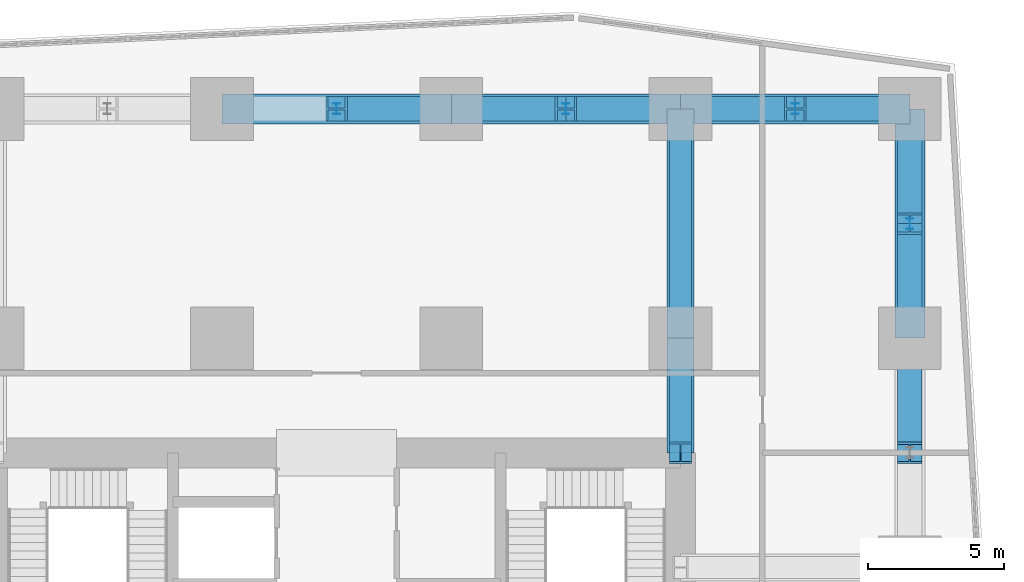
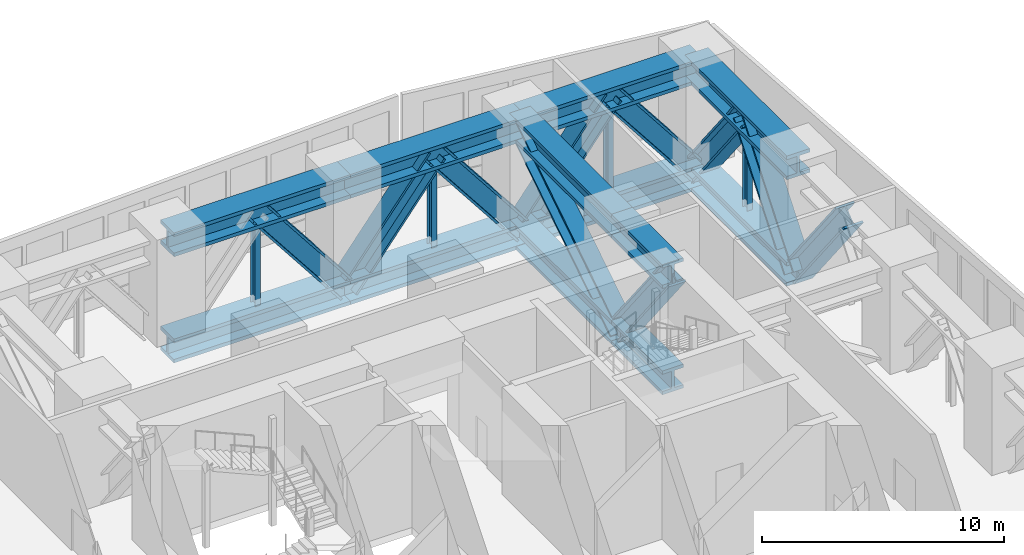
# One storey, part 7 of 16: 26 members.
"""IFC4 building model written with IfcOpenShell, lengths in metres."""

from ifc_helpers import new_model, si_unit, direction, frame, origin, origin_2d, place, context, subcontext, project, spatial, i_section, extrude, material, material_profile, profile_set, type_object, element, save


model = new_model("IFC4")

# Units and contexts
model_context = context("Model", 3, precision=1e-05, world=origin(), true_north=direction((0.0, 1.0)))
body_context = subcontext(model_context, "Body", "Model", "MODEL_VIEW")
ifc_project = project(units=[si_unit("LENGTHUNIT", "METRE"), si_unit("AREAUNIT", "SQUARE_METRE"), si_unit("VOLUMEUNIT", "CUBIC_METRE"), si_unit("PLANEANGLEUNIT", "RADIAN"), si_unit("MASSUNIT", "GRAM", prefix="KILO")], contexts=[model_context])

# Site, building, storey
site_placement = place(None, origin())
site = spatial("IfcSite", under=ifc_project, at=site_placement, CompositionType="ELEMENT")
building_placement = place(site_placement, origin())
building = spatial("IfcBuilding", under=site, at=building_placement, Name="Rekha Terrace Tower", CompositionType="ELEMENT")
storey_placement = place(building_placement, frame((0.0, 0.0, 240.199951171875)))
storey = spatial("IfcBuildingStorey", under=building, at=storey_placement, Name="L61", CompositionType="ELEMENT", Elevation=240.199951171875)

# Members
ifc_material = material(Name="Steel E350", Category="steel")
ifc_material_profile_1 = material_profile(ifc_material, i_section(OverallWidth=1.10009765625, OverallDepth=1.199951171875, WebThickness=0.1201171875, FlangeThickness=0.179931640625, at=origin_2d()), Name="BU 1200x1100x120x180")
ifc_profile_set_1 = profile_set([ifc_material_profile_1], Name="Steel E350")
member_type_1 = type_object("IfcMemberType", Name="BC61 BU 1200x1100x120x180 belt truss chord", PredefinedType="CHORD", material=ifc_profile_set_1)
for number, where, z_axis, x_axis, name in (
    (1, (58.800048828125, 50.39990234375, 4.400146484375), (0.0, 1.0, 0.0), (-1.0, 0.0, 0.0), "Belt top chord 8G-8H L61"),
    (2, (58.800048828125, 50.39990234375, -0.949951171875), (0.0, 1.0, 0.0), (-1.0, 0.0, 0.0), "Belt bottom chord 8G-8H L61"),
    (3, (58.800048828125, 58.800048828125, 4.400146484375), (-1.0, 0.0, 0.0), (0.0, -1.0, 0.0), "Belt top chord 8H-7H L61"),
    (4, (58.800048828125, 58.800048828125, -0.949951171875), (-1.0, 0.0, 0.0), (0.0, -1.0, 0.0), "Belt bottom chord 8H-7H L61"),
):
    element("IfcMember", number, at=place(storey_placement, frame(where, z_axis=z_axis, x_axis=x_axis)), inside=storey, type_object=member_type_1, Name=name, PredefinedType="CHORD", context=body_context, shape_type="SweptSolid", body=[
        extrude(i_section(OverallWidth=1.10009765625, OverallDepth=1.199951171875, WebThickness=0.1201171875, FlangeThickness=0.179931640625, at=origin_2d()), origin(), (0.0, 0.0, 1.0), 8.400146484375),
    ])
for number, where, z_axis, x_axis, name in (
    (5, (50.39990234375, 58.800048828125, 4.400146484375), (-1.0, 0.0, 0.0), (0.0, -1.0, 0.0), "Belt top chord 7H-6H L61"),
    (6, (50.39990234375, 58.800048828125, -0.949951171875), (-1.0, 0.0, 0.0), (0.0, -1.0, 0.0), "Belt bottom chord 7H-6H L61"),
    (7, (42.0, 58.800048828125, 4.400146484375), (-1.0, 0.0, 0.0), (0.0, -1.0, 0.0), "Belt top chord 6H-5H L61"),
    (8, (42.0, 58.800048828125, -0.949951171875), (-1.0, 0.0, 0.0), (0.0, -1.0, 0.0), "Belt bottom chord 6H-5H L61"),
):
    element("IfcMember", number, at=place(storey_placement, frame(where, z_axis=z_axis, x_axis=x_axis)), inside=storey, type_object=member_type_1, Name=name, PredefinedType="CHORD", context=body_context, shape_type="SweptSolid", body=[
        extrude(i_section(OverallWidth=1.10009765625, OverallDepth=1.199951171875, WebThickness=0.1201171875, FlangeThickness=0.179931640625, at=origin_2d()), origin(), (0.0, 0.0, 1.0), 8.39990234375),
    ])
ifc_material_profile_2 = material_profile(ifc_material, i_section(OverallWidth=0.89990234375, OverallDepth=1.0, WebThickness=0.06005859375, FlangeThickness=0.10009765625, at=origin_2d()), Name="BU 1000x900x60x100")
ifc_profile_set_2 = profile_set([ifc_material_profile_2], Name="Steel E350")
member_type_2 = type_object("IfcMemberType", Name="BD61 BU 1000x900x60x100 belt truss diagonal", PredefinedType="BRACE", material=ifc_profile_set_2)
for number, where, z_axis, x_axis, name in (
    (9, (58.800048828125, 50.39990234375, -0.949951171875), (0.0, -0.617485427507, 0.786582320432), (1.0, 0.0, 0.0), "Belt diagonal 8F-8G L61"),
    (10, (58.800048828125, 50.39990234375, -0.949951171875), (0.0, 0.617507634842, 0.78656488665), (-1.0, 0.0, 0.0), "Belt diagonal 8G-8H L61"),
    (11, (58.800048828125, 58.800048828125, -0.949951171875), (0.0, -0.617485427507, 0.786582320432), (1.0, 0.0, 0.0), "Belt diagonal 8G-8H L61"),
    (12, (58.800048828125, 58.800048828125, -0.949951171875), (-0.617485427507, 0.0, 0.786582320432), (0.0, -1.0, 0.0), "Belt diagonal 8H-7H L61"),
    (13, (50.39990234375, 58.800048828125, -0.949951171875), (0.617507634842, 0.0, 0.78656488665), (0.0, 1.0, 0.0), "Belt diagonal 8H-7H L61"),
    (14, (50.39990234375, 58.800048828125, -0.949951171875), (-0.617485427507, 0.0, 0.786582320432), (0.0, -1.0, 0.0), "Belt diagonal 7H-6H L61"),
    (15, (42.0, 58.800048828125, -0.949951171875), (0.617485427507, 0.0, 0.786582320432), (0.0, 1.0, 0.0), "Belt diagonal 7H-6H L61"),
    (16, (42.0, 58.800048828125, -0.949951171875), (-0.617485427507, 0.0, 0.786582320432), (0.0, -1.0, 0.0), "Belt diagonal 6H-5H L61"),
):
    element("IfcMember", number, at=place(storey_placement, frame(where, z_axis=z_axis, x_axis=x_axis)), inside=storey, type_object=member_type_2, Name=name, PredefinedType="BRACE", context=body_context, shape_type="SweptSolid", body=[
        extrude(i_section(OverallWidth=0.89990234375, OverallDepth=1.0, WebThickness=0.06005859375, FlangeThickness=0.10009765625, at=origin_2d()), origin(), (0.0, 0.0, 1.0), 6.8017578125),
    ])
ifc_material_profile_3 = material_profile(ifc_material, i_section(OverallWidth=0.25, OverallDepth=0.39990234375, WebThickness=0.010498046875, FlangeThickness=0.01611328125, FilletRadius=0.013916015625, at=origin_2d()), Name="ISHB 400")
ifc_profile_set_3 = profile_set([ifc_material_profile_3], Name="Steel E350")
member_type_3 = type_object("IfcMemberType", Name="BV61 ISHB 400 belt truss post", PredefinedType="POST", material=ifc_profile_set_3)
for number, where, z_axis, x_axis, name in (
    (17, (58.800048828125, 54.60009765625, -0.349853515625), (0.0, 0.0, 1.0), (1.0, 0.0, 0.0), "Belt post 8G-8H L61"),
    (18, (54.60009765625, 58.800048828125, -0.349853515625), (0.0, 0.0, 1.0), (1.0, 0.0, 0.0), "Belt post 8H-7H L61"),
    (19, (46.199951171875, 58.800048828125, -0.349853515625), (0.0, 0.0, 1.0), (1.0, 0.0, 0.0), "Belt post 7H-6H L61"),
    (20, (37.800048828125, 58.800048828125, -0.349853515625), (0.0, 0.0, 1.0), (1.0, 0.0, 0.0), "Belt post 6H-5H L61"),
):
    element("IfcMember", number, at=place(storey_placement, frame(where, z_axis=z_axis, x_axis=x_axis)), inside=storey, type_object=member_type_3, Name=name, PredefinedType="POST", context=body_context, shape_type="SweptSolid", body=[
        extrude(i_section(OverallWidth=0.25, OverallDepth=0.39990234375, WebThickness=0.010498046875, FlangeThickness=0.01611328125, FilletRadius=0.013916015625, at=origin_2d()), origin(), (0.0, 0.0, 1.0), 4.14990234375),
    ])
ifc_material_profile_4 = material_profile(ifc_material, i_section(OverallWidth=1.0, OverallDepth=1.199951171875, WebThickness=0.139892578125, FlangeThickness=0.169921875, at=origin_2d()), Name="BU 1200x1000x140x170")
ifc_profile_set_4 = profile_set([ifc_material_profile_4], Name="Steel E350")
member_type_4 = type_object("IfcMemberType", Name="OC61 BU 1200x1000x140x170 outrigger chord", PredefinedType="CHORD", material=ifc_profile_set_4)
for number, where, z_axis, x_axis, name in (
    (21, (50.39990234375, 46.199951171875, 4.400146484375), (0.0, 1.0, 0.0), (-1.0, 0.0, 0.0), "Outrigger top chord N7-1 L61"),
    (22, (50.39990234375, 46.199951171875, -0.949951171875), (0.0, 1.0, 0.0), (-1.0, 0.0, 0.0), "Outrigger bottom chord N7-1 L61"),
):
    element("IfcMember", number, at=place(storey_placement, frame(where, z_axis=z_axis, x_axis=x_axis)), inside=storey, type_object=member_type_4, Name=name, PredefinedType="CHORD", context=body_context, shape_type="SweptSolid", body=[
        extrude(i_section(OverallWidth=1.0, OverallDepth=1.199951171875, WebThickness=0.139892578125, FlangeThickness=0.169921875, at=origin_2d()), origin(), (0.0, 0.0, 1.0), 4.199951171875),
    ])
for number, where, z_axis, x_axis, name in (
    (23, (50.39990234375, 50.39990234375, 4.400146484375), (0.0, 1.0, 0.0), (-1.0, 0.0, 0.0), "Outrigger top chord N7-2 L61"),
    (24, (50.39990234375, 50.39990234375, -0.949951171875), (0.0, 1.0, 0.0), (-1.0, 0.0, 0.0), "Outrigger bottom chord N7-2 L61"),
):
    element("IfcMember", number, at=place(storey_placement, frame(where, z_axis=z_axis, x_axis=x_axis)), inside=storey, type_object=member_type_4, Name=name, PredefinedType="CHORD", context=body_context, shape_type="SweptSolid", body=[
        extrude(i_section(OverallWidth=1.0, OverallDepth=1.199951171875, WebThickness=0.139892578125, FlangeThickness=0.169921875, at=origin_2d()), origin(), (0.0, 0.0, 1.0), 8.400146484375),
    ])
ifc_material_profile_5 = material_profile(ifc_material, i_section(OverallWidth=0.800048828125, OverallDepth=1.0, WebThickness=0.050048828125, FlangeThickness=0.090087890625, at=origin_2d()), Name="BU 1000x800x50x90")
ifc_profile_set_5 = profile_set([ifc_material_profile_5], Name="Steel E350")
member_type_5 = type_object("IfcMemberType", Name="OD61 BU 1000x800x50x90 outrigger diagonal", PredefinedType="BRACE", material=ifc_profile_set_5)
member_1_placement = place(storey_placement, frame((50.39990234375, 46.199951171875, 4.400146484375), z_axis=(0.0, 0.617485427507, -0.786582320432), x_axis=(-1.0, 0.0, 0.0)))
element("IfcMember", 25, at=member_1_placement, inside=storey, type_object=member_type_5, Name="Outrigger diagonal N7-1 L61", PredefinedType="BRACE", context=body_context, shape_type="SweptSolid", body=[
    extrude(i_section(OverallWidth=0.800048828125, OverallDepth=1.0, WebThickness=0.050048828125, FlangeThickness=0.090087890625, at=origin_2d()), origin(), (0.0, 0.0, 1.0), 6.8017578125),
])
member_2_placement = place(storey_placement, frame((50.39990234375, 50.39990234375, -0.949951171875), z_axis=(0.0, 0.843454497748, 0.537200623816), x_axis=(-1.0, 0.0, 0.0)))
element("IfcMember", 26, at=member_2_placement, inside=storey, type_object=member_type_5, Name="Outrigger diagonal N7-2 L61", PredefinedType="BRACE", context=body_context, shape_type="SweptSolid", body=[
    extrude(i_section(OverallWidth=0.800048828125, OverallDepth=1.0, WebThickness=0.050048828125, FlangeThickness=0.090087890625, at=origin_2d()), origin(), (0.0, 0.0, 1.0), 9.959228515625),
])

save(model, "model.ifc")
